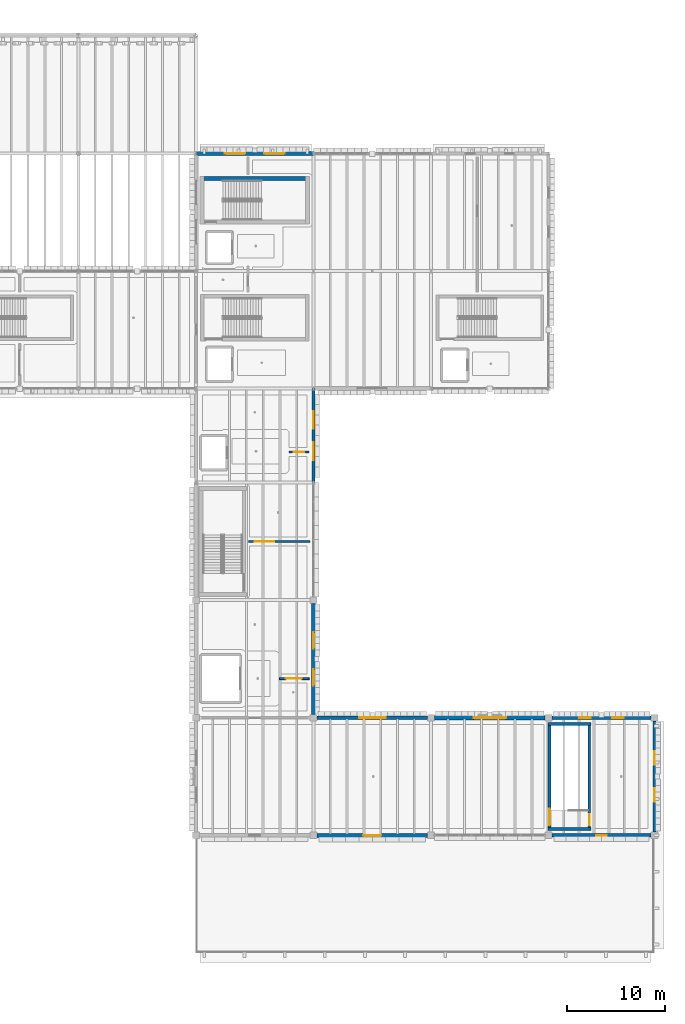
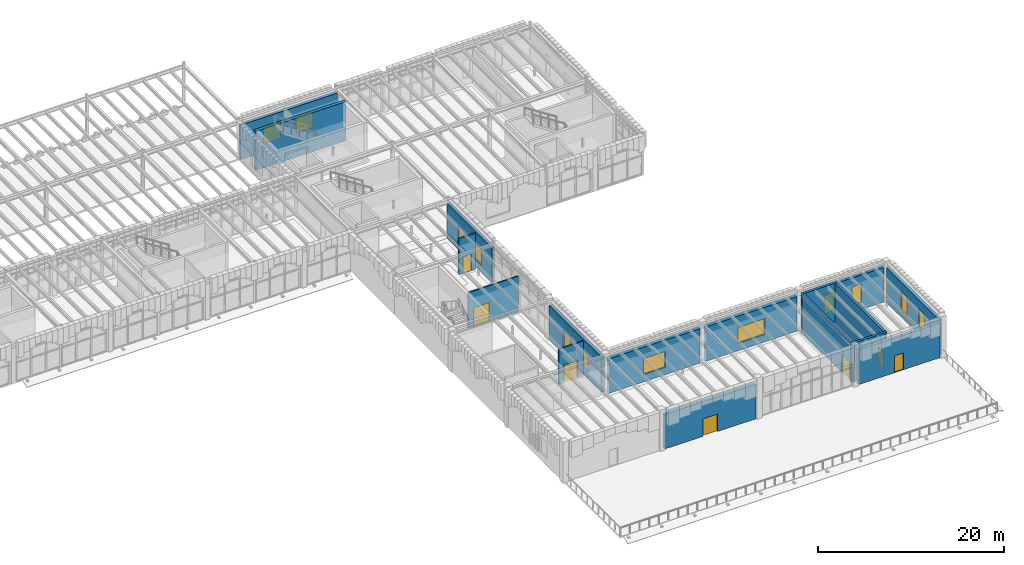
# One storey, part 60 of 100: 17 walls, 12 windows, 7 doors, 19 openings.
"""IFC4 building model written with IfcOpenShell, lengths in metres."""

from ifc_helpers import new_model, si_unit, direction, frame, frame_2d, origin, place, context, subcontext, project, spatial, rectangle, extrude, material, layer, layer_set, type_object, element, fill, save


model = new_model("IFC4")

# Units and contexts
model_context = context("Model", 3, precision=1e-05, world=origin(), true_north=direction((0.0, 1.0)))
body_context = subcontext(model_context, "Body", "Model", "MODEL_VIEW")
ifc_project = project(units=[si_unit("LENGTHUNIT", "METRE"), si_unit("AREAUNIT", "SQUARE_METRE"), si_unit("VOLUMEUNIT", "CUBIC_METRE"), si_unit("PLANEANGLEUNIT", "RADIAN"), si_unit("MASSUNIT", "GRAM", prefix="KILO")], contexts=[model_context])

# Site, building, storey
site_placement = place(None, origin())
site = spatial("IfcSite", under=ifc_project, at=site_placement, CompositionType="ELEMENT")
building_placement = place(site_placement, origin())
building = spatial("IfcBuilding", under=site, at=building_placement, Name="Zlatogorsky Bluff Art Gallery", CompositionType="ELEMENT")
storey_placement = place(building_placement, frame((0.0, 0.0, 5.39990234375)))
storey = spatial("IfcBuildingStorey", under=building, at=storey_placement, Name="L01", CompositionType="ELEMENT", Elevation=5.39990234375)

# Wall, openings, windows
ifc_material_1 = material(Name="Precast concrete C40/50", Category="concrete")
ifc_layer_1 = layer(ifc_material_1, 0.39990234375)
ifc_layer_set_1 = layer_set([ifc_layer_1], Name="Exterior Wall EW-02 400mm")
wall_type_1 = type_object("IfcWallType", Name="Exterior Wall EW-02 400mm", PredefinedType="SOLIDWALL", material=ifc_layer_set_1)
wall_1_placement = place(storey_placement, frame((132.0, 50.7451171875, 0.0), z_axis=(0.0, 0.0, 1.0), x_axis=(0.0, 1.0, 0.0)))
wall_1 = element("IfcWall", 1, at=wall_1_placement, inside=storey, type_object=wall_type_1, Name="Exterior wall EW-02 L01 E 10.5", PredefinedType="SOLIDWALL", context=body_context, shape_type="SweptSolid", body=[
    extrude(rectangle(XDim=11.309814453125, YDim=0.39990234375, at=frame_2d((5.65478515625, 0.0))), origin(), (0.0, 0.0, 1.0), 4.530029296875),
])
opening_1_placement = place(wall_1_placement, frame((2.945068359375, 0.0, 0.949951171875)))
opening_1 = element("IfcOpeningElement", 2, at=opening_1_placement, cuts=wall_1, Name="Opening WN-30", PredefinedType="OPENING", context=body_context, shape_type="SweptSolid", body=[
    extrude(rectangle(XDim=1.64990234375, YDim=2.10009765625, at=frame_2d((0.824951171875, 1.050048828125))), frame((0.0, 0.2099609375, 0.0), z_axis=(0.0, -1.0, 0.0), x_axis=(1.0, 0.0, 0.0)), (0.0, 0.0, 1.0), 0.419921875),
])
opening_2_placement = place(wall_1_placement, frame((6.715087890625, 0.0, 0.949951171875)))
opening_2 = element("IfcOpeningElement", 3, at=opening_2_placement, cuts=wall_1, Name="Opening WN-30", PredefinedType="OPENING", context=body_context, shape_type="SweptSolid", body=[
    extrude(rectangle(XDim=1.64990234375, YDim=2.10009765625, at=frame_2d((0.824951171875, 1.050048828125))), frame((0.0, 0.2099609375, 0.0), z_axis=(0.0, -1.0, 0.0), x_axis=(1.0, 0.0, 0.0)), (0.0, 0.0, 1.0), 0.419921875),
])
ifc_material_2 = material(Name="Bronze-Anodised Aluminium Triple Glazing", Category="aluminium")
window_type_1 = type_object("IfcWindowType", Name="Pointed-Reveal Window WN-30 1650x2100", PartitioningType="SINGLE_PANEL", PredefinedType="WINDOW", material=ifc_material_2)
window_1_placement = place(opening_1_placement, origin())
window_1 = element("IfcWindow", 4, at=window_1_placement, inside=storey, type_object=window_type_1, Name="Window WN-30 L01.E.10.5.1", OverallHeight=2.10009765625, OverallWidth=1.64990234375, PartitioningType="SINGLE_PANEL", PredefinedType="WINDOW", context=body_context, shape_type="SweptSolid", body=[
    extrude(rectangle(XDim=1.64990234375, YDim=2.10009765625, at=frame_2d((0.824951171875, 1.050048828125))), frame((0.0, 0.030029296875, 0.0), z_axis=(0.0, -1.0, 0.0), x_axis=(1.0, 0.0, 0.0)), (0.0, 0.0, 1.0), 0.06005859375),
])
fill(opening_1, window_1)
window_2_placement = place(opening_2_placement, origin())
window_2 = element("IfcWindow", 5, at=window_2_placement, inside=storey, type_object=window_type_1, Name="Window WN-30 L01.E.10.5.2", OverallHeight=2.10009765625, OverallWidth=1.64990234375, PartitioningType="SINGLE_PANEL", PredefinedType="WINDOW", context=body_context, shape_type="SweptSolid", body=[
    extrude(rectangle(XDim=1.64990234375, YDim=2.10009765625, at=frame_2d((0.824951171875, 1.050048828125))), frame((0.0, 0.030029296875, 0.0), z_axis=(0.0, -1.0, 0.0), x_axis=(1.0, 0.0, 0.0)), (0.0, 0.0, 1.0), 0.06005859375),
])
fill(opening_2, window_2)

wall_2_placement = place(storey_placement, frame((132.0, 108.0, 0.0), z_axis=(0.0, 0.0, 1.0), x_axis=(-1.0, 0.0, 0.0)))
wall_2 = element("IfcWall", 6, at=wall_2_placement, inside=storey, type_object=wall_type_1, Name="Exterior wall EW-02 L01 N 10.9", PredefinedType="SOLIDWALL", context=body_context, shape_type="SweptSolid", body=[
    extrude(rectangle(XDim=12.0, YDim=0.39990234375, at=frame_2d((6.0, 0.0))), origin(), (0.0, 0.0, 1.0), 4.530029296875),
])
opening_3_placement = place(wall_2_placement, frame((2.949951171875, 0.0, 0.949951171875)))
opening_3 = element("IfcOpeningElement", 7, at=opening_3_placement, cuts=wall_2, Name="Opening WN-32", PredefinedType="OPENING", context=body_context, shape_type="SweptSolid", body=[
    extrude(rectangle(XDim=2.10009765625, YDim=2.10009765625, at=frame_2d((1.050048828125, 1.050048828125))), frame((0.0, 0.2099609375, 0.0), z_axis=(0.0, -1.0, 0.0), x_axis=(1.0, 0.0, 0.0)), (0.0, 0.0, 1.0), 0.419921875),
])
opening_4_placement = place(wall_2_placement, frame((6.949951171875, 0.0, 0.949951171875)))
opening_4 = element("IfcOpeningElement", 8, at=opening_4_placement, cuts=wall_2, Name="Opening WN-32", PredefinedType="OPENING", context=body_context, shape_type="SweptSolid", body=[
    extrude(rectangle(XDim=2.10009765625, YDim=2.10009765625, at=frame_2d((1.050048828125, 1.050048828125))), frame((0.0, 0.2099609375, 0.0), z_axis=(0.0, -1.0, 0.0), x_axis=(1.0, 0.0, 0.0)), (0.0, 0.0, 1.0), 0.419921875),
])
window_type_2 = type_object("IfcWindowType", Name="Pointed-Reveal Window WN-32 2100x2100", PartitioningType="SINGLE_PANEL", PredefinedType="WINDOW", material=ifc_material_2)
window_3_placement = place(opening_3_placement, origin())
window_3 = element("IfcWindow", 9, at=window_3_placement, inside=storey, type_object=window_type_2, Name="Window WN-32 L01.N.10.9.1", OverallHeight=2.10009765625, OverallWidth=2.10009765625, PartitioningType="SINGLE_PANEL", PredefinedType="WINDOW", context=body_context, shape_type="SweptSolid", body=[
    extrude(rectangle(XDim=2.10009765625, YDim=2.10009765625, at=frame_2d((1.050048828125, 1.050048828125))), frame((0.0, 0.030029296875, 0.0), z_axis=(0.0, -1.0, 0.0), x_axis=(1.0, 0.0, 0.0)), (0.0, 0.0, 1.0), 0.06005859375),
])
fill(opening_3, window_3)
window_4_placement = place(opening_4_placement, origin())
window_4 = element("IfcWindow", 10, at=window_4_placement, inside=storey, type_object=window_type_2, Name="Window WN-32 L01.N.10.9.2", OverallHeight=2.10009765625, OverallWidth=2.10009765625, PartitioningType="SINGLE_PANEL", PredefinedType="WINDOW", context=body_context, shape_type="SweptSolid", body=[
    extrude(rectangle(XDim=2.10009765625, YDim=2.10009765625, at=frame_2d((1.050048828125, 1.050048828125))), frame((0.0, 0.030029296875, 0.0), z_axis=(0.0, -1.0, 0.0), x_axis=(1.0, 0.0, 0.0)), (0.0, 0.0, 1.0), 0.06005859375),
])
fill(opening_4, window_4)

# Wall, opening, door
wall_3_placement = place(storey_placement, frame((132.344970703125, 38.39990234375, 0.0), z_axis=(0.0, 0.0, 1.0), x_axis=(1.0, 0.0, 0.0)))
wall_3 = element("IfcWall", 11, at=wall_3_placement, inside=storey, type_object=wall_type_1, Name="Exterior wall EW-02 L01 S 11.4", PredefinedType="SOLIDWALL", context=body_context, shape_type="SweptSolid", body=[
    extrude(rectangle(XDim=11.31005859375, YDim=0.39990234375, at=frame_2d((5.655029296875, 0.0))), origin(), (0.0, 0.0, 1.0), 4.530029296875),
])
opening_5_placement = place(wall_3_placement, frame((4.7548828125, 0.0, 0.0)))
opening_5 = element("IfcOpeningElement", 12, at=opening_5_placement, cuts=wall_3, Name="Opening TD-01", PredefinedType="OPENING", context=body_context, shape_type="SweptSolid", body=[
    extrude(rectangle(XDim=1.800048828125, YDim=2.300048828125, at=frame_2d((0.89990234375, 1.14990234375))), frame((0.0, 0.2099609375, 0.0), z_axis=(0.0, -1.0, 0.0), x_axis=(1.0, 0.0, 0.0)), (0.0, 0.0, 1.0), 0.419921875),
])
ifc_material_3 = material(Name="Bronze-Clad Thermally Broken Steel and Laminated Glass", Category="steel")
door_type_1 = type_object("IfcDoorType", Name="Exterior Door TD-01 1800x2300", OperationType="DOUBLE_DOOR_SINGLE_SWING", PredefinedType="DOOR", material=ifc_material_3)
door_1_placement = place(opening_5_placement, origin())
door_1 = element("IfcDoor", 13, at=door_1_placement, inside=storey, type_object=door_type_1, Name="Terrace access door TD-01 L01.S.11.4", OperationType="DOUBLE_DOOR_SINGLE_SWING", OverallHeight=2.300048828125, OverallWidth=1.800048828125, PredefinedType="DOOR", context=body_context, shape_type="SweptSolid", body=[
    extrude(rectangle(XDim=1.800048828125, YDim=2.300048828125, at=frame_2d((0.89990234375, 1.14990234375))), frame((0.0, 0.02490234375, 0.0), z_axis=(0.0, -1.0, 0.0), x_axis=(1.0, 0.0, 0.0)), (0.0, 0.0, 1.0), 0.050048828125),
])
fill(opening_5, door_1)

# Wall, opening, window
wall_4_placement = place(storey_placement, frame((143.655029296875, 50.39990234375, 0.0), z_axis=(0.0, 0.0, 1.0), x_axis=(-1.0, 0.0, 0.0)))
wall_4 = element("IfcWall", 14, at=wall_4_placement, inside=storey, type_object=wall_type_1, Name="Exterior wall EW-02 L01 N 11.4", PredefinedType="SOLIDWALL", context=body_context, shape_type="SweptSolid", body=[
    extrude(rectangle(XDim=11.31005859375, YDim=0.39990234375, at=frame_2d((5.655029296875, 0.0))), origin(), (0.0, 0.0, 1.0), 4.530029296875),
])
opening_6_placement = place(wall_4_placement, frame((4.304931640625, 0.0, 0.949951171875)))
opening_6 = element("IfcOpeningElement", 15, at=opening_6_placement, cuts=wall_4, Name="Opening WN-34", PredefinedType="OPENING", context=body_context, shape_type="SweptSolid", body=[
    extrude(rectangle(XDim=2.699951171875, YDim=2.10009765625, at=frame_2d((1.35009765625, 1.050048828125))), frame((0.0, 0.2099609375, 0.0), z_axis=(0.0, -1.0, 0.0), x_axis=(1.0, 0.0, 0.0)), (0.0, 0.0, 1.0), 0.419921875),
])
window_type_3 = type_object("IfcWindowType", Name="Pointed-Reveal Window WN-34 2700x2100", PartitioningType="SINGLE_PANEL", PredefinedType="WINDOW", material=ifc_material_2)
window_5_placement = place(opening_6_placement, origin())
window_5 = element("IfcWindow", 16, at=window_5_placement, inside=storey, type_object=window_type_3, Name="Window WN-34 L01.N.11.4.1", OverallHeight=2.10009765625, OverallWidth=2.699951171875, PartitioningType="SINGLE_PANEL", PredefinedType="WINDOW", context=body_context, shape_type="SweptSolid", body=[
    extrude(rectangle(XDim=2.699951171875, YDim=2.10009765625, at=frame_2d((1.35009765625, 1.050048828125))), frame((0.0, 0.030029296875, 0.0), z_axis=(0.0, -1.0, 0.0), x_axis=(1.0, 0.0, 0.0)), (0.0, 0.0, 1.0), 0.06005859375),
])
fill(opening_6, window_5)

ifc_layer_2 = layer(ifc_material_1, 0.43994140625)
ifc_layer_set_2 = layer_set([ifc_layer_2], Name="Exterior Wall EW-03 440mm")
wall_type_2 = type_object("IfcWallType", Name="Exterior Wall EW-03 440mm", PredefinedType="SOLIDWALL", material=ifc_layer_set_2)
wall_5_placement = place(storey_placement, frame((155.655029296875, 50.39990234375, 0.0), z_axis=(0.0, 0.0, 1.0), x_axis=(-1.0, 0.0, 0.0)))
wall_5 = element("IfcWall", 17, at=wall_5_placement, inside=storey, type_object=wall_type_2, Name="Exterior wall EW-03 L01 N 12.4", PredefinedType="SOLIDWALL", context=body_context, shape_type="SweptSolid", body=[
    extrude(rectangle(XDim=11.31005859375, YDim=0.43994140625, at=frame_2d((5.655029296875, 0.0))), origin(), (0.0, 0.0, 1.0), 4.530029296875),
])
opening_7_placement = place(wall_5_placement, frame((4.0048828125, 0.0, 0.949951171875)))
opening_7 = element("IfcOpeningElement", 18, at=opening_7_placement, cuts=wall_5, Name="Opening WN-36", PredefinedType="OPENING", context=body_context, shape_type="SweptSolid", body=[
    extrude(rectangle(XDim=3.300048828125, YDim=2.10009765625, at=frame_2d((1.64990234375, 1.050048828125))), frame((0.0, 0.22998046875, 0.0), z_axis=(0.0, -1.0, 0.0), x_axis=(1.0, 0.0, 0.0)), (0.0, 0.0, 1.0), 0.4599609375),
])
window_type_4 = type_object("IfcWindowType", Name="Pointed-Reveal Window WN-36 3300x2100", PartitioningType="SINGLE_PANEL", PredefinedType="WINDOW", material=ifc_material_2)
window_6_placement = place(opening_7_placement, origin())
window_6 = element("IfcWindow", 19, at=window_6_placement, inside=storey, type_object=window_type_4, Name="Window WN-36 L01.N.12.4.1", OverallHeight=2.10009765625, OverallWidth=3.300048828125, PartitioningType="SINGLE_PANEL", PredefinedType="WINDOW", context=body_context, shape_type="SweptSolid", body=[
    extrude(rectangle(XDim=3.300048828125, YDim=2.10009765625, at=frame_2d((1.64990234375, 1.050048828125))), frame((0.0, 0.030029296875, 0.0), z_axis=(0.0, -1.0, 0.0), x_axis=(1.0, 0.0, 0.0)), (0.0, 0.0, 1.0), 0.06005859375),
])
fill(opening_7, window_6)

# Wall, openings, windows
ifc_layer_3 = layer(ifc_material_1, 0.320068359375)
ifc_layer_set_3 = layer_set([ifc_layer_3], Name="Exterior Wall EW-04 320mm")
wall_type_3 = type_object("IfcWallType", Name="Exterior Wall EW-04 320mm", PredefinedType="SOLIDWALL", material=ifc_layer_set_3)
wall_6_placement = place(storey_placement, frame((132.0, 74.39990234375, 0.0), z_axis=(0.0, 0.0, 1.0), x_axis=(0.0, 1.0, 0.0)))
wall_6 = element("IfcWall", 20, at=wall_6_placement, inside=storey, type_object=wall_type_3, Name="Exterior wall EW-04 L01 E 10.7", PredefinedType="SOLIDWALL", context=body_context, shape_type="SweptSolid", body=[
    extrude(rectangle(XDim=9.60009765625, YDim=0.320068359375, at=frame_2d((4.800048828125, 0.0))), origin(), (0.0, 0.0, 1.0), 4.530029296875),
])
opening_8_placement = place(wall_6_placement, frame((2.300048828125, 0.0, 0.949951171875)))
opening_8 = element("IfcOpeningElement", 21, at=opening_8_placement, cuts=wall_6, Name="Opening WN-31", PredefinedType="OPENING", context=body_context, shape_type="SweptSolid", body=[
    extrude(rectangle(XDim=1.800048828125, YDim=2.10009765625, at=frame_2d((0.89990234375, 1.050048828125))), frame((0.0, 0.169921875, 0.0), z_axis=(0.0, -1.0, 0.0), x_axis=(1.0, 0.0, 0.0)), (0.0, 0.0, 1.0), 0.340087890625),
])
opening_9_placement = place(wall_6_placement, frame((5.5, 0.0, 0.949951171875)))
opening_9 = element("IfcOpeningElement", 22, at=opening_9_placement, cuts=wall_6, Name="Opening WN-31", PredefinedType="OPENING", context=body_context, shape_type="SweptSolid", body=[
    extrude(rectangle(XDim=1.800048828125, YDim=2.10009765625, at=frame_2d((0.89990234375, 1.050048828125))), frame((0.0, 0.169921875, 0.0), z_axis=(0.0, -1.0, 0.0), x_axis=(1.0, 0.0, 0.0)), (0.0, 0.0, 1.0), 0.340087890625),
])
window_type_5 = type_object("IfcWindowType", Name="Pointed-Reveal Window WN-31 1800x2100", PartitioningType="SINGLE_PANEL", PredefinedType="WINDOW", material=ifc_material_2)
window_7_placement = place(opening_8_placement, origin())
window_7 = element("IfcWindow", 23, at=window_7_placement, inside=storey, type_object=window_type_5, Name="Window WN-31 L01.E.10.7.1", OverallHeight=2.10009765625, OverallWidth=1.800048828125, PartitioningType="SINGLE_PANEL", PredefinedType="WINDOW", context=body_context, shape_type="SweptSolid", body=[
    extrude(rectangle(XDim=1.800048828125, YDim=2.10009765625, at=frame_2d((0.89990234375, 1.050048828125))), frame((0.0, 0.030029296875, 0.0), z_axis=(0.0, -1.0, 0.0), x_axis=(1.0, 0.0, 0.0)), (0.0, 0.0, 1.0), 0.06005859375),
])
fill(opening_8, window_7)
window_8_placement = place(opening_9_placement, origin())
window_8 = element("IfcWindow", 24, at=window_8_placement, inside=storey, type_object=window_type_5, Name="Window WN-31 L01.E.10.7.2", OverallHeight=2.10009765625, OverallWidth=1.800048828125, PartitioningType="SINGLE_PANEL", PredefinedType="WINDOW", context=body_context, shape_type="SweptSolid", body=[
    extrude(rectangle(XDim=1.800048828125, YDim=2.10009765625, at=frame_2d((0.89990234375, 1.050048828125))), frame((0.0, 0.030029296875, 0.0), z_axis=(0.0, -1.0, 0.0), x_axis=(1.0, 0.0, 0.0)), (0.0, 0.0, 1.0), 0.06005859375),
])
fill(opening_9, window_8)

# Wall, opening, door
wall_7_placement = place(storey_placement, frame((156.344970703125, 38.39990234375, 0.0), z_axis=(0.0, 0.0, 1.0), x_axis=(1.0, 0.0, 0.0)))
wall_7 = element("IfcWall", 25, at=wall_7_placement, inside=storey, type_object=wall_type_3, Name="Exterior wall EW-04 L01 S 13.4", PredefinedType="SOLIDWALL", context=body_context, shape_type="SweptSolid", body=[
    extrude(rectangle(XDim=10.110107421875, YDim=0.320068359375, at=frame_2d((5.05517578125, 0.0))), origin(), (0.0, 0.0, 1.0), 4.530029296875),
])
opening_10_placement = place(wall_7_placement, frame((4.5048828125, 0.0, 0.0)))
opening_10 = element("IfcOpeningElement", 26, at=opening_10_placement, cuts=wall_7, Name="Opening TD-03", PredefinedType="OPENING", context=body_context, shape_type="SweptSolid", body=[
    extrude(rectangle(XDim=1.10009765625, YDim=2.199951171875, at=frame_2d((0.550048828125, 1.10009765625))), frame((0.0, 0.169921875, 0.0), z_axis=(0.0, -1.0, 0.0), x_axis=(1.0, 0.0, 0.0)), (0.0, 0.0, 1.0), 0.340087890625),
])
door_type_2 = type_object("IfcDoorType", Name="Exterior Door TD-03 1100x2200", OperationType="SINGLE_SWING_LEFT", PredefinedType="DOOR", material=ifc_material_3)
door_2_placement = place(opening_10_placement, origin())
door_2 = element("IfcDoor", 27, at=door_2_placement, inside=storey, type_object=door_type_2, Name="Terrace access door TD-03 L01.S.13.4", OperationType="SINGLE_SWING_LEFT", OverallHeight=2.199951171875, OverallWidth=1.10009765625, PredefinedType="DOOR", context=body_context, shape_type="SweptSolid", body=[
    extrude(rectangle(XDim=1.10009765625, YDim=2.199951171875, at=frame_2d((0.550048828125, 1.10009765625))), frame((0.0, 0.02490234375, 0.0), z_axis=(0.0, -1.0, 0.0), x_axis=(1.0, 0.0, 0.0)), (0.0, 0.0, 1.0), 0.050048828125),
])
fill(opening_10, door_2)

# Wall, openings, windows
wall_8_placement = place(storey_placement, frame((166.455078125, 50.39990234375, 0.0), z_axis=(0.0, 0.0, 1.0), x_axis=(-1.0, 0.0, 0.0)))
wall_8 = element("IfcWall", 28, at=wall_8_placement, inside=storey, type_object=wall_type_3, Name="Exterior wall EW-04 L01 N 13.4", PredefinedType="SOLIDWALL", context=body_context, shape_type="SweptSolid", body=[
    extrude(rectangle(XDim=10.110107421875, YDim=0.320068359375, at=frame_2d((5.05517578125, 0.0))), origin(), (0.0, 0.0, 1.0), 4.530029296875),
])
opening_11_placement = place(wall_8_placement, frame((2.77001953125, 0.0, 0.949951171875)))
opening_11 = element("IfcOpeningElement", 29, at=opening_11_placement, cuts=wall_8, Name="Opening WN-39", PredefinedType="OPENING", context=body_context, shape_type="SweptSolid", body=[
    extrude(rectangle(XDim=1.199951171875, YDim=2.39990234375, at=frame_2d((0.60009765625, 1.199951171875))), frame((0.0, 0.169921875, 0.0), z_axis=(0.0, -1.0, 0.0), x_axis=(1.0, 0.0, 0.0)), (0.0, 0.0, 1.0), 0.340087890625),
])
opening_12_placement = place(wall_8_placement, frame((6.139892578125, 0.0, 0.949951171875)))
opening_12 = element("IfcOpeningElement", 30, at=opening_12_placement, cuts=wall_8, Name="Opening WN-39", PredefinedType="OPENING", context=body_context, shape_type="SweptSolid", body=[
    extrude(rectangle(XDim=1.199951171875, YDim=2.39990234375, at=frame_2d((0.60009765625, 1.199951171875))), frame((0.0, 0.169921875, 0.0), z_axis=(0.0, -1.0, 0.0), x_axis=(1.0, 0.0, 0.0)), (0.0, 0.0, 1.0), 0.340087890625),
])
window_type_6 = type_object("IfcWindowType", Name="Pointed-Reveal Window WN-39 1200x2400", PartitioningType="SINGLE_PANEL", PredefinedType="WINDOW", material=ifc_material_2)
window_9_placement = place(opening_11_placement, origin())
window_9 = element("IfcWindow", 31, at=window_9_placement, inside=storey, type_object=window_type_6, Name="Window WN-39 L01.N.13.4.1", OverallHeight=2.39990234375, OverallWidth=1.199951171875, PartitioningType="SINGLE_PANEL", PredefinedType="WINDOW", context=body_context, shape_type="SweptSolid", body=[
    extrude(rectangle(XDim=1.199951171875, YDim=2.39990234375, at=frame_2d((0.60009765625, 1.199951171875))), frame((0.0, 0.030029296875, 0.0), z_axis=(0.0, -1.0, 0.0), x_axis=(1.0, 0.0, 0.0)), (0.0, 0.0, 1.0), 0.06005859375),
])
fill(opening_11, window_9)
window_10_placement = place(opening_12_placement, origin())
window_10 = element("IfcWindow", 32, at=window_10_placement, inside=storey, type_object=window_type_6, Name="Window WN-39 L01.N.13.4.2", OverallHeight=2.39990234375, OverallWidth=1.199951171875, PartitioningType="SINGLE_PANEL", PredefinedType="WINDOW", context=body_context, shape_type="SweptSolid", body=[
    extrude(rectangle(XDim=1.199951171875, YDim=2.39990234375, at=frame_2d((0.60009765625, 1.199951171875))), frame((0.0, 0.030029296875, 0.0), z_axis=(0.0, -1.0, 0.0), x_axis=(1.0, 0.0, 0.0)), (0.0, 0.0, 1.0), 0.06005859375),
])
fill(opening_12, window_10)

wall_9_placement = place(storey_placement, frame((166.800048828125, 38.7451171875, 0.0), z_axis=(0.0, 0.0, 1.0), x_axis=(0.0, 1.0, 0.0)))
wall_9 = element("IfcWall", 33, at=wall_9_placement, inside=storey, type_object=wall_type_3, Name="Exterior wall EW-04 L01 E 13.4", PredefinedType="SOLIDWALL", context=body_context, shape_type="SweptSolid", body=[
    extrude(rectangle(XDim=11.309814453125, YDim=0.320068359375, at=frame_2d((5.65478515625, 0.0))), origin(), (0.0, 0.0, 1.0), 4.530029296875),
])
opening_13_placement = place(wall_9_placement, frame((3.094970703125, 0.0, 0.949951171875)))
opening_13 = element("IfcOpeningElement", 34, at=opening_13_placement, cuts=wall_9, Name="Opening WN-40", PredefinedType="OPENING", context=body_context, shape_type="SweptSolid", body=[
    extrude(rectangle(XDim=1.35009765625, YDim=2.39990234375, at=frame_2d((0.675048828125, 1.199951171875))), frame((0.0, 0.169921875, 0.0), z_axis=(0.0, -1.0, 0.0), x_axis=(1.0, 0.0, 0.0)), (0.0, 0.0, 1.0), 0.340087890625),
])
opening_14_placement = place(wall_9_placement, frame((6.864990234375, 0.0, 0.949951171875)))
opening_14 = element("IfcOpeningElement", 35, at=opening_14_placement, cuts=wall_9, Name="Opening WN-40", PredefinedType="OPENING", context=body_context, shape_type="SweptSolid", body=[
    extrude(rectangle(XDim=1.35009765625, YDim=2.39990234375, at=frame_2d((0.675048828125, 1.199951171875))), frame((0.0, 0.169921875, 0.0), z_axis=(0.0, -1.0, 0.0), x_axis=(1.0, 0.0, 0.0)), (0.0, 0.0, 1.0), 0.340087890625),
])
window_type_7 = type_object("IfcWindowType", Name="Pointed-Reveal Window WN-40 1350x2400", PartitioningType="SINGLE_PANEL", PredefinedType="WINDOW", material=ifc_material_2)
window_11_placement = place(opening_13_placement, origin())
window_11 = element("IfcWindow", 36, at=window_11_placement, inside=storey, type_object=window_type_7, Name="Window WN-40 L01.E.13.4.1", OverallHeight=2.39990234375, OverallWidth=1.35009765625, PartitioningType="SINGLE_PANEL", PredefinedType="WINDOW", context=body_context, shape_type="SweptSolid", body=[
    extrude(rectangle(XDim=1.35009765625, YDim=2.39990234375, at=frame_2d((0.675048828125, 1.199951171875))), frame((0.0, 0.030029296875, 0.0), z_axis=(0.0, -1.0, 0.0), x_axis=(1.0, 0.0, 0.0)), (0.0, 0.0, 1.0), 0.06005859375),
])
fill(opening_13, window_11)
window_12_placement = place(opening_14_placement, origin())
window_12 = element("IfcWindow", 37, at=window_12_placement, inside=storey, type_object=window_type_7, Name="Window WN-40 L01.E.13.4.2", OverallHeight=2.39990234375, OverallWidth=1.35009765625, PartitioningType="SINGLE_PANEL", PredefinedType="WINDOW", context=body_context, shape_type="SweptSolid", body=[
    extrude(rectangle(XDim=1.35009765625, YDim=2.39990234375, at=frame_2d((0.675048828125, 1.199951171875))), frame((0.0, 0.030029296875, 0.0), z_axis=(0.0, -1.0, 0.0), x_axis=(1.0, 0.0, 0.0)), (0.0, 0.0, 1.0), 0.06005859375),
])
fill(opening_14, window_12)

# Wall, opening, door
ifc_material_4 = material(Name="Concrete C30/37", Category="concrete")
ifc_layer_4 = layer(ifc_material_4, 0.179931640625)
ifc_layer_set_4 = layer_set([ifc_layer_4], Name="Interior Wall IW-02 180mm")
wall_type_4 = type_object("IfcWallType", Name="Interior Wall IW-02 180mm", PredefinedType="PARTITIONING", material=ifc_layer_set_4)
wall_10_placement = place(storey_placement, frame((125.3701171875, 68.39990234375, 0.0), z_axis=(0.0, 0.0, 1.0), x_axis=(1.0, 0.0, 0.0)))
wall_10 = element("IfcWall", 38, at=wall_10_placement, inside=storey, type_object=wall_type_4, Name="Partition IW-02 between L01-C1-12 and L01-C1-13", PredefinedType="PARTITIONING", context=body_context, shape_type="SweptSolid", body=[
    extrude(rectangle(XDim=6.25, YDim=0.179931640625, at=frame_2d((3.125, 0.0))), origin(), (0.0, 0.0, 1.0), 4.64013671875),
])
opening_15_placement = place(wall_10_placement, frame((0.64990234375, 0.0, 0.0)))
opening_15 = element("IfcOpeningElement", 39, at=opening_15_placement, cuts=wall_10, Name="Opening ID-12", PredefinedType="OPENING", context=body_context, shape_type="SweptSolid", body=[
    extrude(rectangle(XDim=1.949951171875, YDim=2.449951171875, at=frame_2d((0.97509765625, 1.22509765625))), frame((0.0, 0.099853515625, 0.0), z_axis=(0.0, -1.0, 0.0), x_axis=(1.0, 0.0, 0.0)), (0.0, 0.0, 1.0), 0.199951171875),
])
ifc_material_5 = material(Name="Anodised Aluminium and Laminated Timber", Category="wood")
door_type_3 = type_object("IfcDoorType", Name="Interior Door ID-12 1950x2450", OperationType="DOUBLE_DOOR_SINGLE_SWING", PredefinedType="DOOR", material=ifc_material_5)
door_3_placement = place(opening_15_placement, origin())
door_3 = element("IfcDoor", 40, at=door_3_placement, inside=storey, type_object=door_type_3, Name="Door ID-12 L01-C1-12-L01-C1-13", OperationType="DOUBLE_DOOR_SINGLE_SWING", OverallHeight=2.449951171875, OverallWidth=1.949951171875, PredefinedType="DOOR", context=body_context, shape_type="SweptSolid", body=[
    extrude(rectangle(XDim=1.949951171875, YDim=2.449951171875, at=frame_2d((0.97509765625, 1.22509765625))), frame((0.0, 0.02490234375, 0.0), z_axis=(0.0, -1.0, 0.0), x_axis=(1.0, 0.0, 0.0)), (0.0, 0.0, 1.0), 0.050048828125),
])
fill(opening_15, door_3)

ifc_layer_5 = layer(ifc_material_4, 0.199951171875)
ifc_layer_set_5 = layer_set([ifc_layer_5], Name="Interior Wall IW-03 200mm")
wall_type_5 = type_object("IfcWallType", Name="Interior Wall IW-03 200mm", PredefinedType="PARTITIONING", material=ifc_layer_set_5)
wall_11_placement = place(storey_placement, frame((128.510009765625, 54.39990234375, 0.0), z_axis=(0.0, 0.0, 1.0), x_axis=(1.0, 0.0, 0.0)))
wall_11 = element("IfcWall", 41, at=wall_11_placement, inside=storey, type_object=wall_type_5, Name="Partition IW-03 between L01-C1-11 and L01-C1-12", PredefinedType="PARTITIONING", context=body_context, shape_type="SweptSolid", body=[
    extrude(rectangle(XDim=3.0400390625, YDim=0.199951171875, at=frame_2d((1.52001953125, 0.0))), origin(), (0.0, 0.0, 1.0), 4.64013671875),
])
opening_16_placement = place(wall_11_placement, frame((0.64990234375, 0.0, 0.0)))
opening_16 = element("IfcOpeningElement", 42, at=opening_16_placement, cuts=wall_11, Name="Opening ID-10", PredefinedType="OPENING", context=body_context, shape_type="SweptSolid", body=[
    extrude(rectangle(XDim=1.64990234375, YDim=2.35009765625, at=frame_2d((0.824951171875, 1.175048828125))), frame((0.0, 0.10986328125, 0.0), z_axis=(0.0, -1.0, 0.0), x_axis=(1.0, 0.0, 0.0)), (0.0, 0.0, 1.0), 0.219970703125),
])
door_type_4 = type_object("IfcDoorType", Name="Interior Door ID-10 1650x2350", OperationType="DOUBLE_DOOR_SINGLE_SWING", PredefinedType="DOOR", material=ifc_material_5)
door_4_placement = place(opening_16_placement, origin())
door_4 = element("IfcDoor", 43, at=door_4_placement, inside=storey, type_object=door_type_4, Name="Door ID-10 L01-C1-11-L01-C1-12", OperationType="DOUBLE_DOOR_SINGLE_SWING", OverallHeight=2.35009765625, OverallWidth=1.64990234375, PredefinedType="DOOR", context=body_context, shape_type="SweptSolid", body=[
    extrude(rectangle(XDim=1.64990234375, YDim=2.35009765625, at=frame_2d((0.824951171875, 1.175048828125))), frame((0.0, 0.02490234375, 0.0), z_axis=(0.0, -1.0, 0.0), x_axis=(1.0, 0.0, 0.0)), (0.0, 0.0, 1.0), 0.050048828125),
])
fill(opening_16, door_4)

ifc_layer_6 = layer(ifc_material_4, 0.219970703125)
ifc_layer_set_6 = layer_set([ifc_layer_6], Name="Interior Wall IW-04 220mm")
wall_type_6 = type_object("IfcWallType", Name="Interior Wall IW-04 220mm", PredefinedType="PARTITIONING", material=ifc_layer_set_6)
wall_12_placement = place(storey_placement, frame((129.510009765625, 77.544921875, 0.0), z_axis=(0.0, 0.0, 1.0), x_axis=(1.0, 0.0, 0.0)))
wall_12 = element("IfcWall", 44, at=wall_12_placement, inside=storey, type_object=wall_type_6, Name="Partition IW-04 between L01-C1-13 and L01-C1-14", PredefinedType="PARTITIONING", context=body_context, shape_type="SweptSolid", body=[
    extrude(rectangle(XDim=2.0400390625, YDim=0.219970703125, at=frame_2d((1.02001953125, 0.0))), origin(), (0.0, 0.0, 1.0), 4.72998046875),
])
opening_17_placement = place(wall_12_placement, frame((0.47509765625, 0.0, 0.0)))
opening_17 = element("IfcOpeningElement", 45, at=opening_17_placement, cuts=wall_12, Name="Opening ID-04", PredefinedType="OPENING", context=body_context, shape_type="SweptSolid", body=[
    extrude(rectangle(XDim=1.050048828125, YDim=2.199951171875, at=frame_2d((0.52490234375, 1.10009765625))), frame((0.0, 0.119873046875, 0.0), z_axis=(0.0, -1.0, 0.0), x_axis=(1.0, 0.0, 0.0)), (0.0, 0.0, 1.0), 0.239990234375),
])
door_type_5 = type_object("IfcDoorType", Name="Interior Door ID-04 1050x2200", OperationType="SINGLE_SWING_LEFT", PredefinedType="DOOR", material=ifc_material_5)
door_5_placement = place(opening_17_placement, origin())
door_5 = element("IfcDoor", 46, at=door_5_placement, inside=storey, type_object=door_type_5, Name="Door ID-04 L01-C1-13-L01-C1-14", OperationType="SINGLE_SWING_LEFT", OverallHeight=2.199951171875, OverallWidth=1.050048828125, PredefinedType="DOOR", context=body_context, shape_type="SweptSolid", body=[
    extrude(rectangle(XDim=1.050048828125, YDim=2.199951171875, at=frame_2d((0.52490234375, 1.10009765625))), frame((0.0, 0.02490234375, 0.0), z_axis=(0.0, -1.0, 0.0), x_axis=(1.0, 0.0, 0.0)), (0.0, 0.0, 1.0), 0.050048828125),
])
fill(opening_17, door_5)

ifc_material_6 = material(Name="Concrete C35/45", Category="concrete")
ifc_layer_7 = layer(ifc_material_6, 0.300048828125)
ifc_layer_set_7 = layer_set([ifc_layer_7], Name="Interior Wall SW-01 300mm")
wall_type_7 = type_object("IfcWallType", Name="Interior Wall SW-01 300mm", PredefinedType="SHEAR", material=ifc_layer_set_7)
wall_13_placement = place(storey_placement, frame((160.14990234375, 38.89990234375, 0.0), z_axis=(0.0, 0.0, 1.0), x_axis=(0.0, 1.0, 0.0)))
wall_13 = element("IfcWall", 47, at=wall_13_placement, inside=storey, type_object=wall_type_7, Name="Stair ST-10 enclosure wall L01 W0", PredefinedType="SHEAR", context=body_context, shape_type="SweptSolid", body=[
    extrude(rectangle(XDim=11.0, YDim=0.300048828125, at=frame_2d((5.5, 0.0))), origin(), (0.0, 0.0, 1.0), 5.110107421875),
])
opening_18_placement = place(wall_13_placement, frame((0.5400390625, 0.0, 0.0)))
opening_18 = element("IfcOpeningElement", 48, at=opening_18_placement, cuts=wall_13, Name="Opening FD-01", PredefinedType="OPENING", context=body_context, shape_type="SweptSolid", body=[
    extrude(rectangle(XDim=1.1201171875, YDim=2.199951171875, at=frame_2d((0.56005859375, 1.10009765625))), frame((0.0, 0.159912109375, 0.0), z_axis=(0.0, -1.0, 0.0), x_axis=(1.0, 0.0, 0.0)), (0.0, 0.0, 1.0), 0.320068359375),
])
door_type_6 = type_object("IfcDoorType", Name="Interior Door FD-01 1120x2200", OperationType="SINGLE_SWING_LEFT", PredefinedType="DOOR", material=ifc_material_5)
door_6_placement = place(opening_18_placement, origin())
door_6 = element("IfcDoor", 49, at=door_6_placement, inside=storey, type_object=door_type_6, Name="Stair ST-10 east conservation studio fire door L01", OperationType="SINGLE_SWING_RIGHT", OverallHeight=2.199951171875, OverallWidth=1.1201171875, PredefinedType="DOOR", context=body_context, shape_type="SweptSolid", body=[
    extrude(rectangle(XDim=1.1201171875, YDim=2.199951171875, at=frame_2d((0.56005859375, 1.10009765625))), frame((0.0, 0.02490234375, 0.0), z_axis=(0.0, -1.0, 0.0), x_axis=(1.0, 0.0, 0.0)), (0.0, 0.0, 1.0), 0.050048828125),
])
fill(opening_18, door_6)

# Wall
wall_14_placement = place(storey_placement, frame((160.300048828125, 49.75, 0.0), z_axis=(0.0, 0.0, 1.0), x_axis=(-1.0, 0.0, 0.0)))
element("IfcWall", 50, at=wall_14_placement, inside=storey, type_object=wall_type_7, Name="Stair ST-10 enclosure wall L01 FEND", PredefinedType="SHEAR", context=body_context, shape_type="SweptSolid", body=[
    extrude(rectangle(XDim=4.35009765625, YDim=0.300048828125, at=frame_2d((2.175048828125, 0.0))), origin(), (0.0, 0.0, 1.0), 5.110107421875),
])

# Wall, opening, door
wall_15_placement = place(storey_placement, frame((156.10009765625, 49.89990234375, 0.0), z_axis=(0.0, 0.0, 1.0), x_axis=(0.0, -1.0, 0.0)))
wall_15 = element("IfcWall", 51, at=wall_15_placement, inside=storey, type_object=wall_type_7, Name="Stair ST-10 enclosure wall L01 W1", PredefinedType="SHEAR", context=body_context, shape_type="SweptSolid", body=[
    extrude(rectangle(XDim=11.0, YDim=0.300048828125, at=frame_2d((5.5, 0.0))), origin(), (0.0, 0.0, 1.0), 5.110107421875),
])
opening_19_placement = place(wall_15_placement, frame((8.77001953125, 0.0, 0.0)))
opening_19 = element("IfcOpeningElement", 52, at=opening_19_placement, cuts=wall_15, Name="Opening FD-04", PredefinedType="OPENING", context=body_context, shape_type="SweptSolid", body=[
    extrude(rectangle(XDim=1.679931640625, YDim=2.35009765625, at=frame_2d((0.83984375, 1.175048828125))), frame((0.0, 0.159912109375, 0.0), z_axis=(0.0, -1.0, 0.0), x_axis=(1.0, 0.0, 0.0)), (0.0, 0.0, 1.0), 0.320068359375),
])
door_type_7 = type_object("IfcDoorType", Name="Interior Door FD-04 1680x2350", OperationType="DOUBLE_DOOR_SINGLE_SWING", PredefinedType="DOOR", material=ifc_material_5)
door_7_placement = place(opening_19_placement, origin())
door_7 = element("IfcDoor", 53, at=door_7_placement, inside=storey, type_object=door_type_7, Name="Stair ST-10 fire door L01", OperationType="DOUBLE_DOOR_SINGLE_SWING", OverallHeight=2.35009765625, OverallWidth=1.679931640625, PredefinedType="DOOR", context=body_context, shape_type="SweptSolid", body=[
    extrude(rectangle(XDim=1.679931640625, YDim=2.35009765625, at=frame_2d((0.83984375, 1.175048828125))), frame((0.0, 0.02490234375, 0.0), z_axis=(0.0, -1.0, 0.0), x_axis=(1.0, 0.0, 0.0)), (0.0, 0.0, 1.0), 0.050048828125),
])
fill(opening_19, door_7)

# Walls
wall_16_placement = place(storey_placement, frame((155.949951171875, 39.050048828125, 0.0), z_axis=(0.0, 0.0, 1.0), x_axis=(1.0, 0.0, 0.0)))
element("IfcWall", 54, at=wall_16_placement, inside=storey, type_object=wall_type_7, Name="Stair ST-10 enclosure wall L01 LEND", PredefinedType="SHEAR", context=body_context, shape_type="SweptSolid", body=[
    extrude(rectangle(XDim=4.35009765625, YDim=0.300048828125, at=frame_2d((2.175048828125, 0.0))), origin(), (0.0, 0.0, 1.0), 5.110107421875),
])
ifc_layer_8 = layer(ifc_material_6, 0.39990234375)
ifc_layer_set_8 = layer_set([ifc_layer_8], Name="Interior Wall SW-03 400mm")
wall_type_8 = type_object("IfcWallType", Name="Interior Wall SW-03 400mm", PredefinedType="SHEAR", material=ifc_layer_set_8)
wall_17_placement = place(storey_placement, frame((131.60009765625, 105.449951171875, 0.0), z_axis=(0.0, 0.0, 1.0), x_axis=(-1.0, 0.0, 0.0)))
element("IfcWall", 55, at=wall_17_placement, inside=storey, type_object=wall_type_8, Name="Stair ST-03 enclosure wall L01 W1", PredefinedType="SHEAR", context=body_context, shape_type="SweptSolid", body=[
    extrude(rectangle(XDim=11.2001953125, YDim=0.39990234375, at=frame_2d((5.60009765625, 0.0))), origin(), (0.0, 0.0, 1.0), 5.110107421875),
])

save(model, "model.ifc")
